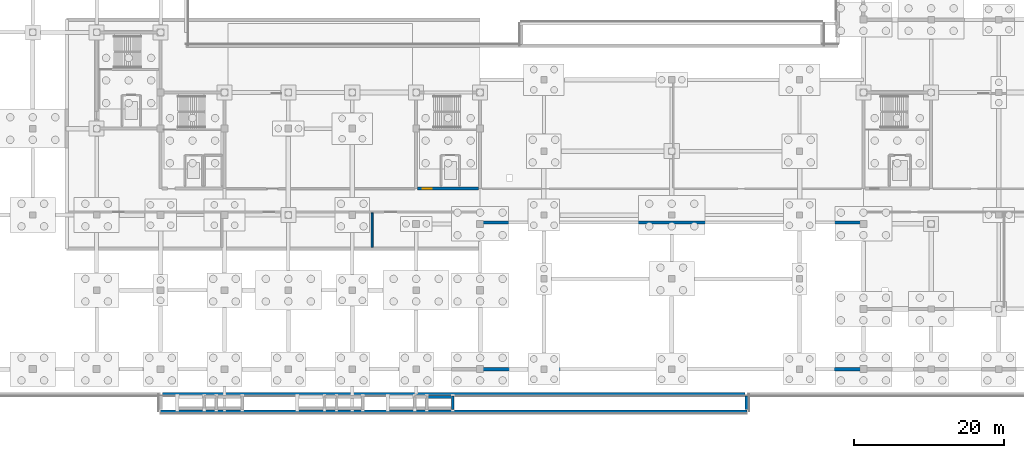
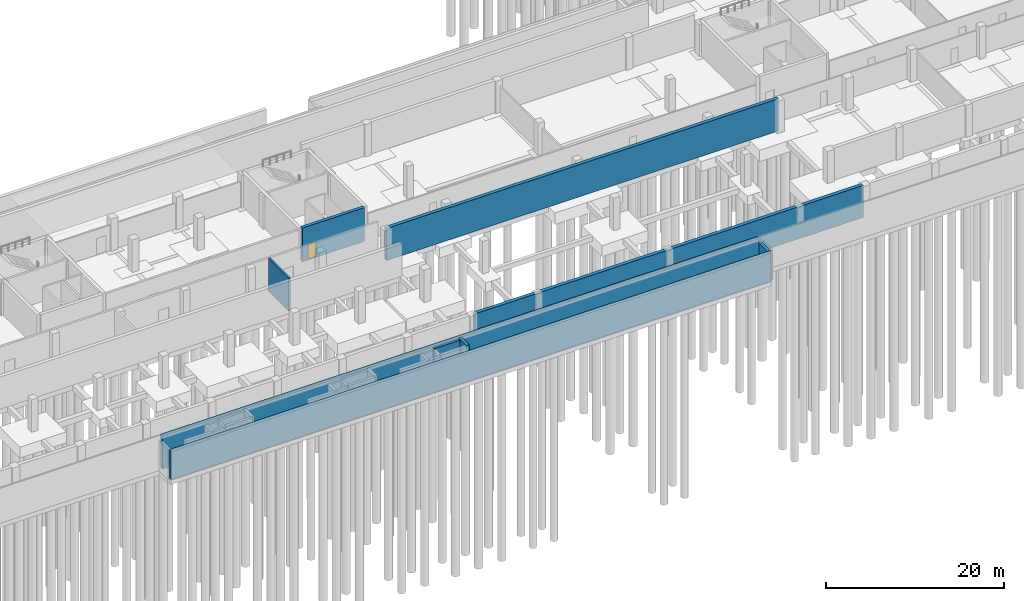
# One storey, part 12 of 25: 9 walls, 1 door, 1 opening.
"""IFC4 building model written with IfcOpenShell, lengths in metres."""

from ifc_helpers import new_model, si_unit, direction, frame, frame_2d, origin, place, context, subcontext, project, spatial, rectangle, extrude, material, layer, layer_set, type_object, element, fill, save


model = new_model("IFC4")

# Units and contexts
model_context = context("Model", 3, precision=1e-05, world=origin(), true_north=direction((0.0, 1.0)))
body_context = subcontext(model_context, "Body", "Model", "MODEL_VIEW")
ifc_project = project(units=[si_unit("LENGTHUNIT", "METRE"), si_unit("AREAUNIT", "SQUARE_METRE"), si_unit("VOLUMEUNIT", "CUBIC_METRE"), si_unit("PLANEANGLEUNIT", "RADIAN"), si_unit("MASSUNIT", "GRAM", prefix="KILO")], contexts=[model_context])

# Site, building, storey
site_placement = place(None, origin())
site = spatial("IfcSite", under=ifc_project, at=site_placement, CompositionType="ELEMENT")
building_placement = place(site_placement, origin())
building = spatial("IfcBuilding", under=site, at=building_placement, Name="Solvikara Media Centre", CompositionType="ELEMENT")
storey_placement = place(building_placement, frame((0.0, 0.0, -4.800048828125)))
storey = spatial("IfcBuildingStorey", under=building, at=storey_placement, Name="B01", CompositionType="ELEMENT", Elevation=-4.800048828125)

# Walls
ifc_material_1 = material(Name="Concrete fc' 45 MPa (C45/55)", Category="concrete")
ifc_layer_1 = layer(ifc_material_1, 0.449951171875)
ifc_layer_set_1 = layer_set([ifc_layer_1], Name="Concrete fc' 45 MPa (C45/55)")
wall_type_1 = type_object("IfcWallType", Name="WT-01", PredefinedType="SHEAR", material=ifc_layer_set_1)
wall_1_placement = place(storey_placement, frame((76.5, 19.5, 0.0), z_axis=(0.0, 0.0, 1.0), x_axis=(1.0, 0.0, 0.0)))
element("IfcWall", 1, at=wall_1_placement, inside=storey, type_object=wall_type_1, Name="W-B01-04", PredefinedType="SHEAR", context=body_context, shape_type="SweptSolid", body=[
    extrude(rectangle(XDim=51.0, YDim=0.449951171875, at=frame_2d((25.5, 0.0))), origin(), (0.0, 0.0, 1.0), 4.420166015625),
])
wall_2_placement = place(storey_placement, frame((34.22998046875, -3.330078125, 0.0), z_axis=(0.0, 0.0, 1.0), x_axis=(1.0, 0.0, 0.0)))
element("IfcWall", 2, at=wall_2_placement, inside=storey, type_object=wall_type_1, Name="W-B01-17", PredefinedType="SHEAR", context=body_context, shape_type="SweptSolid", body=[
    extrude(rectangle(XDim=77.5400390625, YDim=0.449951171875, at=frame_2d((38.77001953125, 0.0))), origin(), (0.0, 0.0, 1.0), 4.550048828125),
])
wall_3_placement = place(storey_placement, frame((76.75, 0.0, 0.0), z_axis=(0.0, 0.0, 1.0), x_axis=(1.0, 0.0, 0.0)))
element("IfcWall", 3, at=wall_3_placement, inside=storey, type_object=wall_type_1, Name="W-B01-20", PredefinedType="SHEAR", context=body_context, shape_type="SweptSolid", body=[
    extrude(rectangle(XDim=50.5, YDim=0.449951171875, at=frame_2d((25.25, 0.0))), origin(), (0.0, 0.0, 1.0), 4.420166015625),
])
wall_4_placement = place(storey_placement, frame((34.0, -5.6298828125, 0.0), z_axis=(0.0, 0.0, 1.0), x_axis=(1.0, 0.0, 0.0)))
element("IfcWall", 4, at=wall_4_placement, inside=storey, type_object=wall_type_1, Name="W-B01-ARR-01", PredefinedType="SHEAR", context=body_context, shape_type="SweptSolid", body=[
    extrude(rectangle(XDim=78.0, YDim=0.449951171875, at=frame_2d((39.0, 0.0))), origin(), (0.0, 0.0, 1.0), 3.880126953125),
])
wall_5_placement = place(storey_placement, frame((112.0, -5.39990234375, 0.0), z_axis=(0.0, 0.0, 1.0), x_axis=(0.0, 1.0, 0.0)))
element("IfcWall", 5, at=wall_5_placement, inside=storey, type_object=wall_type_1, Name="W-B01-ARR-03", PredefinedType="SHEAR", context=body_context, shape_type="SweptSolid", body=[
    extrude(rectangle(XDim=1.83984375, YDim=0.449951171875, at=frame_2d((0.919921875, 0.0))), origin(), (0.0, 0.0, 1.0), 3.880126953125),
])

# Wall, opening, door
ifc_layer_2 = layer(ifc_material_1, 0.39990234375)
ifc_layer_set_2 = layer_set([ifc_layer_2], Name="Concrete fc' 45 MPa (C45/55)")
wall_type_2 = type_object("IfcWallType", Name="WT-02", PredefinedType="SHEAR", material=ifc_layer_set_2)
wall_6_placement = place(storey_placement, frame((68.199951171875, 24.0, 0.0), z_axis=(0.0, 0.0, 1.0), x_axis=(1.0, 0.0, 0.0)))
wall_6 = element("IfcWall", 6, at=wall_6_placement, inside=storey, type_object=wall_type_2, Name="CW-C3-B01-S", PredefinedType="SHEAR", context=body_context, shape_type="SweptSolid", body=[
    extrude(rectangle(XDim=8.10009765625, YDim=0.39990234375, at=frame_2d((4.050048828125, 0.0))), origin(), (0.0, 0.0, 1.0), 4.64013671875),
])
opening_placement = place(wall_6_placement, frame((0.699951171875, 0.0, 0.0)))
opening = element("IfcOpeningElement", 7, at=opening_placement, cuts=wall_6, Name="Opening D-C3-B01-LOB", PredefinedType="OPENING", context=body_context, shape_type="SweptSolid", body=[
    extrude(rectangle(XDim=1.14990234375, YDim=2.199951171875, at=frame_2d((0.574951171875, 1.10009765625))), frame((0.0, 0.2119140625, 0.0), z_axis=(0.0, -1.0, 0.0), x_axis=(1.0, 0.0, 0.0)), (0.0, 0.0, 1.0), 0.423828125),
])
ifc_material_2 = material(Name="Insulated fire-rated steel door leaf", Category="steel")
door_type = type_object("IfcDoorType", Name="DT-09", OperationType="NOTDEFINED", PredefinedType="DOOR", material=ifc_material_2)
door_placement = place(opening_placement, frame((1.14990234375, 0.0, 0.0), z_axis=(0.0, 0.0, 1.0), x_axis=(-1.0, 0.0, 0.0)))
door = element("IfcDoor", 8, at=door_placement, inside=storey, type_object=door_type, Name="D-C3-B01-LOB", OperationType="SINGLE_SWING_RIGHT", OverallHeight=2.199951171875, OverallWidth=1.14990234375, PredefinedType="DOOR", context=body_context, shape_type="SweptSolid", body=[
    extrude(rectangle(XDim=1.14990234375, YDim=2.199951171875, at=frame_2d((0.574951171875, 1.10009765625))), frame((0.0, 0.02490234375, 0.0), z_axis=(0.0, -1.0, 0.0), x_axis=(1.0, 0.0, 0.0)), (0.0, 0.0, 1.0), 0.050048828125),
])
fill(opening, door)

# Walls
ifc_layer_3 = layer(ifc_material_1, 0.25)
ifc_layer_set_3 = layer_set([ifc_layer_3], Name="Concrete fc' 45 MPa (C45/55)")
wall_type_3 = type_object("IfcWallType", Name="WT-07", PredefinedType="STANDARD", material=ifc_layer_set_3)
wall_7_placement = place(storey_placement, frame((62.14990234375, 16.199951171875, 0.0), z_axis=(0.0, 0.0, 1.0), x_axis=(0.0, 1.0, 0.0)))
element("IfcWall", 9, at=wall_7_placement, inside=storey, type_object=wall_type_3, Name="Cold Film Archive Vault Wall B01-2", PredefinedType="STANDARD", context=body_context, shape_type="SweptSolid", body=[
    extrude(rectangle(XDim=4.60009765625, YDim=0.25, at=frame_2d((2.300048828125, 0.0))), origin(), (0.0, 0.0, 1.0), 4.5),
])
ifc_layer_4 = layer(ifc_material_1, 0.360107421875)
ifc_layer_set_4 = layer_set([ifc_layer_4], Name="Concrete fc' 45 MPa (C45/55)")
wall_type_4 = type_object("IfcWallType", Name="WT-23", PredefinedType="STANDARD", material=ifc_layer_set_4)
wall_8_placement = place(storey_placement, frame((69.39990234375, -3.699951171875, 0.0), z_axis=(0.0, 0.0, 1.0), x_axis=(1.0, 0.0, 0.0)))
element("IfcWall", 10, at=wall_8_placement, inside=storey, type_object=wall_type_4, Name="RW-03-N2", PredefinedType="STANDARD", context=body_context, shape_type="SweptSolid", body=[
    extrude(rectangle(XDim=3.47998046875, YDim=0.360107421875, at=frame_2d((1.739990234375, 0.0))), origin(), (0.0, 0.0, 1.0), 4.449951171875),
])
wall_9_placement = place(storey_placement, frame((72.8798828125, -5.35009765625, 0.0), z_axis=(0.0, 0.0, 1.0), x_axis=(0.0, 1.0, 0.0)))
element("IfcWall", 11, at=wall_9_placement, inside=storey, type_object=wall_type_4, Name="RW-03-TOP", PredefinedType="STANDARD", context=body_context, shape_type="SweptSolid", body=[
    extrude(rectangle(XDim=1.800048828125, YDim=0.360107421875, at=frame_2d((0.89990234375, 0.0))), origin(), (0.0, 0.0, 1.0), 4.60009765625),
])

save(model, "model.ifc")
